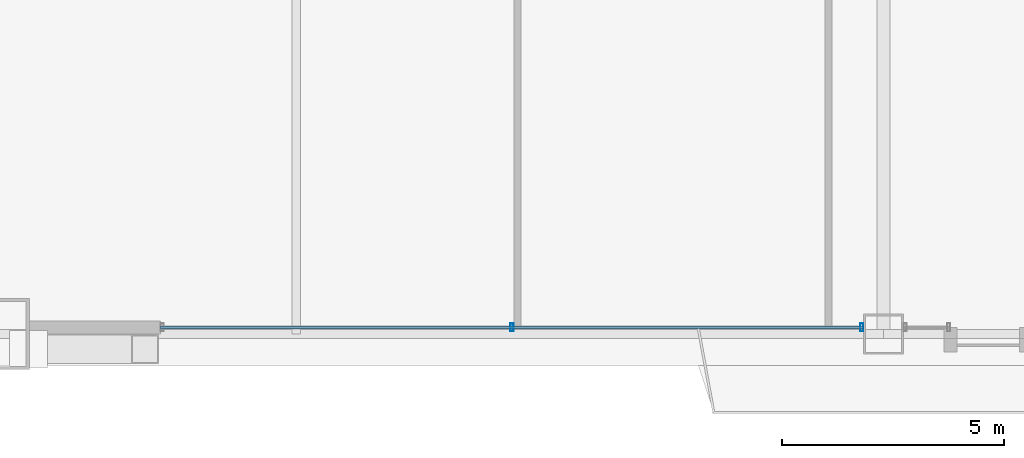
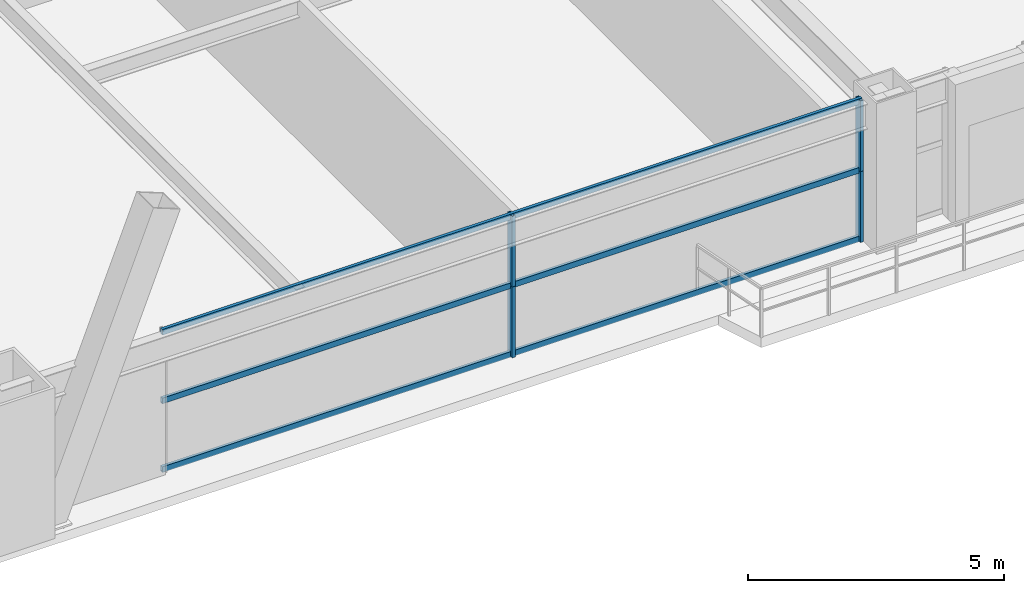
# One storey, part 9 of 41: 7 members, 1 element without a shape of its own.
"""IFC4 building model written with IfcOpenShell, lengths in metres."""

from ifc_helpers import new_model, si_unit, direction, frame, origin, origin_2d, place, context, subcontext, project, spatial, hollow_rectangle, extrude, source, transform, mapped, material, layer, layer_set, material_profile, profile_set, type_object, element, aggregate, save


model = new_model("IFC4")

# Units and contexts
model_context = context("Model", 3, precision=1e-05, world=origin(), true_north=direction((0.0, 1.0)))
body_context = subcontext(model_context, "Body", "Model", "MODEL_VIEW")
ifc_project = project(units=[si_unit("LENGTHUNIT", "METRE"), si_unit("AREAUNIT", "SQUARE_METRE"), si_unit("VOLUMEUNIT", "CUBIC_METRE"), si_unit("PLANEANGLEUNIT", "RADIAN"), si_unit("MASSUNIT", "GRAM", prefix="KILO"), si_unit("THERMODYNAMICTEMPERATUREUNIT", "KELVIN"), si_unit("POWERUNIT", "WATT")], contexts=[model_context])

# Site, building, storey
site_placement = place(None, origin())
site = spatial("IfcSite", under=ifc_project, at=site_placement, CompositionType="ELEMENT")
building_placement = place(site_placement, origin())
building = spatial("IfcBuilding", under=site, at=building_placement, Name="Yuzanri Waterfront Tower", CompositionType="ELEMENT")
storey_placement = place(building_placement, frame((0.0, 0.0, 115.39990234375)))
storey = spatial("IfcBuildingStorey", under=building, at=storey_placement, Name="L30", CompositionType="ELEMENT", Elevation=115.39990234375)

# Curtain wall, members
ifc_material_1 = material(Name="Anodized Architectural Bronze", Category="metal")
ifc_layer = layer(ifc_material_1, 0.159912109375)
ifc_layer_set = layer_set([ifc_layer], Name="Anodized Architectural Bronze")
curtain_wall_type = type_object("IfcCurtainWallType", Name="Anodized Bronze Hotel Upper-Tier Solar-Control Unitized Curtain Wall 7800", PredefinedType="NOTDEFINED", material=ifc_layer_set)
curtain_wall_placement = place(storey_placement, origin())
curtain_wall = element("IfcCurtainWall", 1, at=curtain_wall_placement, inside=storey, type_object=curtain_wall_type, Name="L30 Curtain Wall CW-L30-SL", PredefinedType="NOTDEFINED")
ifc_material_2 = material(Name="Anodized Architectural Bronze", Category="metal")
ifc_material_profile_1 = material_profile(ifc_material_2, hollow_rectangle(XDim=0.070068359375, YDim=0.179931640625, WallThickness=0.00390625, at=origin_2d()), Name="CWM 70x180")
ifc_profile_set_1 = profile_set([ifc_material_profile_1], Name="Anodized Architectural Bronze")
member_type_1 = type_object("IfcMemberType", Name="Anodized Bronze Standard Curtain-Wall Mullion 70x180", PredefinedType="MULLION", material=ifc_profile_set_1)
shared_shape_1 = source(origin(), body_context, "Body", "SweptSolid", [
    extrude(hollow_rectangle(XDim=0.070068359375, YDim=0.179931640625, WallThickness=0.00390625, at=origin_2d()), origin(), (0.0, 0.0, 1.0), 1.68798828125),
])
member_1_placement = place(storey_placement, frame((28.64990234375, 2.35009765625, 0.0), z_axis=(0.0, 0.0, 1.0), x_axis=(1.0, 0.0, 0.0)))
member_1 = element("IfcMember", 2, at=member_1_placement, type_object=member_type_1, Name="CW-L30-SL Lower Mullion 01", PredefinedType="MULLION", context=body_context, shape_type="MappedRepresentation", body=[
    mapped(shared_shape_1, transform((0.0, 0.0, 0.0), scale=1.0)),
])
member_2_placement = place(storey_placement, frame((28.64990234375, 2.35009765625, 1.692138671875), z_axis=(0.0, 0.0, 1.0), x_axis=(1.0, 0.0, 0.0)))
member_2 = element("IfcMember", 3, at=member_2_placement, type_object=member_type_1, Name="CW-L30-SL Upper Mullion 01", PredefinedType="MULLION", context=body_context, shape_type="MappedRepresentation", body=[
    mapped(shared_shape_1, transform((0.0, 0.0, 0.0), scale=1.0)),
])
member_3_placement = place(storey_placement, frame((36.510009765625, 2.35009765625, 0.0), z_axis=(0.0, 0.0, 1.0), x_axis=(1.0, 0.0, 0.0)))
member_3 = element("IfcMember", 4, at=member_3_placement, type_object=member_type_1, Name="CW-L30-SL Lower Mullion 02", PredefinedType="MULLION", context=body_context, shape_type="MappedRepresentation", body=[
    mapped(shared_shape_1, transform((0.0, 0.0, 0.0), scale=1.0)),
])
member_4_placement = place(storey_placement, frame((36.510009765625, 2.35009765625, 1.692138671875), z_axis=(0.0, 0.0, 1.0), x_axis=(1.0, 0.0, 0.0)))
member_4 = element("IfcMember", 5, at=member_4_placement, type_object=member_type_1, Name="CW-L30-SL Upper Mullion 02", PredefinedType="MULLION", context=body_context, shape_type="MappedRepresentation", body=[
    mapped(shared_shape_1, transform((0.0, 0.0, 0.0), scale=1.0)),
])
ifc_material_3 = material(Name="Anodized Architectural Bronze", Category="metal")
ifc_material_profile_2 = material_profile(ifc_material_3, hollow_rectangle(XDim=0.070068359375, YDim=0.135009765625, WallThickness=0.00341796875, at=origin_2d()), Name="CWT 70x135")
ifc_profile_set_2 = profile_set([ifc_material_profile_2], Name="Anodized Architectural Bronze")
member_type_2 = type_object("IfcMemberType", Name="Anodized Bronze Standard Curtain-Wall Transom 70x135", PredefinedType="USERDEFINED", material=ifc_profile_set_2)
shared_shape_2 = source(origin(), body_context, "Body", "SweptSolid", [
    extrude(hollow_rectangle(XDim=0.070068359375, YDim=0.135009765625, WallThickness=0.00341796875, at=origin_2d()), origin(), (0.0, 0.0, 1.0), 15.800048828125),
])
member_5_placement = place(storey_placement, frame((20.75, 2.35009765625, 0.050048828125), z_axis=(1.0, 0.0, 0.0), x_axis=(0.0, 1.0, 0.0)))
member_5 = element("IfcMember", 6, at=member_5_placement, type_object=member_type_2, Name="CW-L30-SL Transom 1", ObjectType="TRANSOM", PredefinedType="USERDEFINED", context=body_context, shape_type="MappedRepresentation", body=[
    mapped(shared_shape_2, transform((0.0, 0.0, 0.0), scale=1.0)),
])
member_6_placement = place(storey_placement, frame((20.75, 2.35009765625, 1.690185546875), z_axis=(1.0, 0.0, 0.0), x_axis=(0.0, 1.0, 0.0)))
member_6 = element("IfcMember", 7, at=member_6_placement, type_object=member_type_2, Name="CW-L30-SL Transom 2", ObjectType="TRANSOM", PredefinedType="USERDEFINED", context=body_context, shape_type="MappedRepresentation", body=[
    mapped(shared_shape_2, transform((0.0, 0.0, 0.0), scale=1.0)),
])
member_7_placement = place(storey_placement, frame((20.75, 2.35009765625, 3.330078125), z_axis=(1.0, 0.0, 0.0), x_axis=(0.0, 1.0, 0.0)))
member_7 = element("IfcMember", 8, at=member_7_placement, type_object=member_type_2, Name="CW-L30-SL Transom 3", ObjectType="TRANSOM", PredefinedType="USERDEFINED", context=body_context, shape_type="MappedRepresentation", body=[
    mapped(shared_shape_2, transform((0.0, 0.0, 0.0), scale=1.0)),
])
aggregate(curtain_wall, [member_1, member_2, member_3, member_4, member_5, member_6, member_7])

save(model, "model.ifc")
